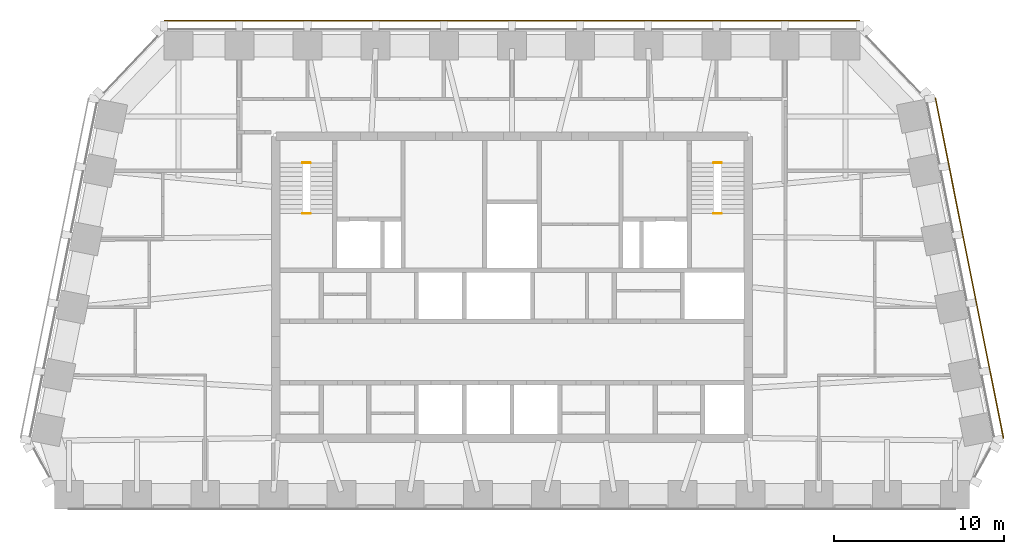
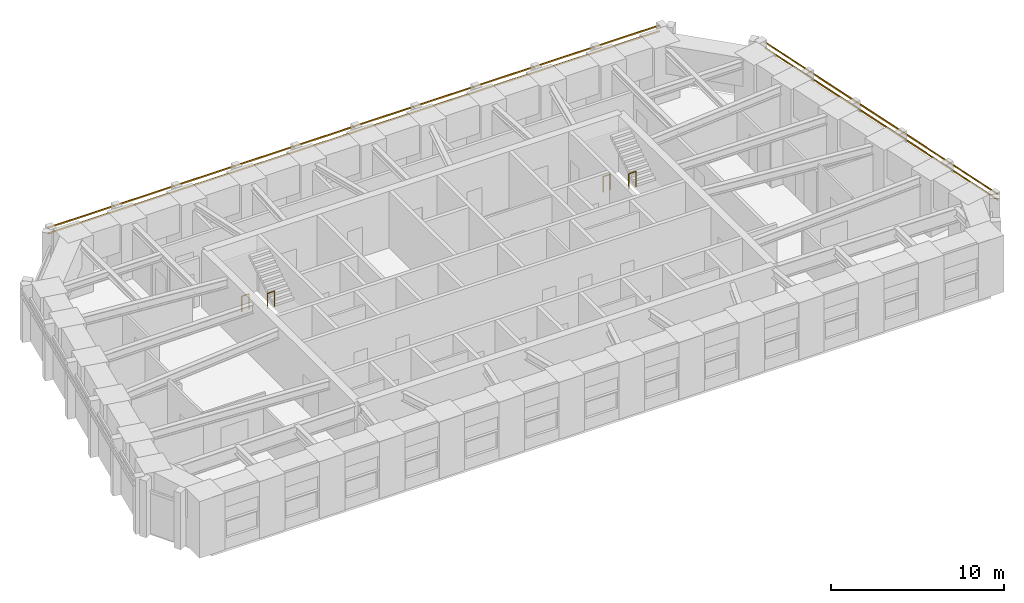
# One storey, part 9 of 9: 4 railings, 4 shading devices.
"""IFC4 building model written with IfcOpenShell, lengths in metres."""

from ifc_helpers import new_model, si_unit, direction, frame, origin, origin_2d, place, context, subcontext, project, spatial, rectangle, circle, extrude, material, material_profile, profile_set, type_object, element, save


model = new_model("IFC4")

# Units and contexts
model_context = context("Model", 3, precision=1e-05, world=origin(), true_north=direction((0.0, 1.0)))
body_context = subcontext(model_context, "Body", "Model", "MODEL_VIEW")
ifc_project = project(units=[si_unit("LENGTHUNIT", "METRE"), si_unit("AREAUNIT", "SQUARE_METRE"), si_unit("VOLUMEUNIT", "CUBIC_METRE"), si_unit("PLANEANGLEUNIT", "RADIAN"), si_unit("MASSUNIT", "GRAM", prefix="KILO")], contexts=[model_context])

# Site, building, storey
site_placement = place(None, origin())
site = spatial("IfcSite", under=ifc_project, at=site_placement, CompositionType="ELEMENT")
building_placement = place(site_placement, origin())
building = spatial("IfcBuilding", under=site, at=building_placement, Name="Isbrekke Arena Tower", CompositionType="ELEMENT")
storey_placement = place(building_placement, frame((0.0, 0.0, 316.0)))
storey = spatial("IfcBuildingStorey", under=building, at=storey_placement, Name="L74", CompositionType="ELEMENT", Elevation=316.0)

# Shading devices
ifc_material_1 = material(Name="Terracotta", Category="masonry")
ifc_material_profile = material_profile(ifc_material_1, rectangle(XDim=0.06005859375, YDim=0.06005859375, at=origin_2d()), Name="BAGUETTE 60X60")
ifc_profile_set = profile_set([ifc_material_profile], Name="Terracotta")
shading_device_type = type_object("IfcShadingDeviceType", Name="BG1 TERRACOTTA BAGUETTE 60 x 60", PredefinedType="USERDEFINED", material=ifc_profile_set)
for number, where, z_axis, x_axis, name in (
    (1, (28.84228515625, 6.12841796875, 3.280029296875), (-0.196116135138, 0.980580675691, 0.0), (-0.980580675691, -0.196116135138, 0.0), "BG1 terracotta baguette E1 L74"),
    (2, (28.84228515625, 6.12841796875, 3.679931640625), (-0.196116135138, 0.980580675691, 0.0), (-0.980580675691, -0.196116135138, 0.0), "BG1 terracotta baguette E2 L74"),
):
    element("IfcShadingDevice", number, at=place(storey_placement, frame(where, z_axis=z_axis, x_axis=x_axis)), inside=storey, type_object=shading_device_type, Name=name, ObjectType="TERRACOTTA BAGUETTE", PredefinedType="USERDEFINED", context=body_context, shape_type="SweptSolid", body=[
        extrude(rectangle(XDim=0.06005859375, YDim=0.06005859375, at=origin_2d()), origin(), (0.0, 0.0, 1.0), 20.39599609375),
    ])
for number, where, z_axis, x_axis, name in (
    (3, (20.39990234375, 30.655029296875, 3.280029296875), (-1.0, 0.0, 0.0), (0.0, -1.0, 0.0), "BG1 terracotta baguette N1 L74"),
    (4, (20.39990234375, 30.655029296875, 3.679931640625), (-1.0, 0.0, 0.0), (0.0, -1.0, 0.0), "BG1 terracotta baguette N2 L74"),
):
    element("IfcShadingDevice", number, at=place(storey_placement, frame(where, z_axis=z_axis, x_axis=x_axis)), inside=storey, type_object=shading_device_type, Name=name, ObjectType="TERRACOTTA BAGUETTE", PredefinedType="USERDEFINED", context=body_context, shape_type="SweptSolid", body=[
        extrude(rectangle(XDim=0.06005859375, YDim=0.06005859375, at=origin_2d()), origin(), (0.0, 0.0, 1.0), 40.7998046875),
    ])

# Railings
ifc_material_2 = material(Name="Steel stair guard, vertical bars, steel handrail", Category="steel")
railing_type = type_object("IfcRailingType", Name="GR3 STAIR WELL GUARD 1100", PredefinedType="GUARDRAIL", material=ifc_material_2)
for number, where, name in (
    (5, (-12.300048828125, 22.300048828125, 0.0), "GR3 stair well guard ST1 L74"),
    (6, (-12.300048828125, 19.330078125, 2.0), "GR3 stair well guard ST1 L74"),
    (7, (11.824951171875, 22.300048828125, 0.0), "GR3 stair well guard ST2 L74"),
    (8, (11.824951171875, 19.330078125, 2.0), "GR3 stair well guard ST2 L74"),
):
    element("IfcRailing", number, at=place(storey_placement, frame(where)), inside=storey, type_object=railing_type, Name=name, PredefinedType="GUARDRAIL", context=body_context, shape_type="SweptSolid", body=[
        extrude(circle(Radius=0.02392578125, at=origin_2d()), frame((0.0, 0.0, 1.076171875), z_axis=(1.0, 0.0, 0.0), x_axis=(0.0, 1.0, 0.0)), (0.0, 0.0, 1.0), 0.47509765625),
        extrude(circle(Radius=0.02099609375, at=origin_2d()), origin(), (0.0, 0.0, 1.0), 1.052001953125),
        extrude(circle(Radius=0.02099609375, at=origin_2d()), frame((0.47509765625, 0.0, 0.0)), (0.0, 0.0, 1.0), 1.052001953125),
    ])

save(model, "model.ifc")
